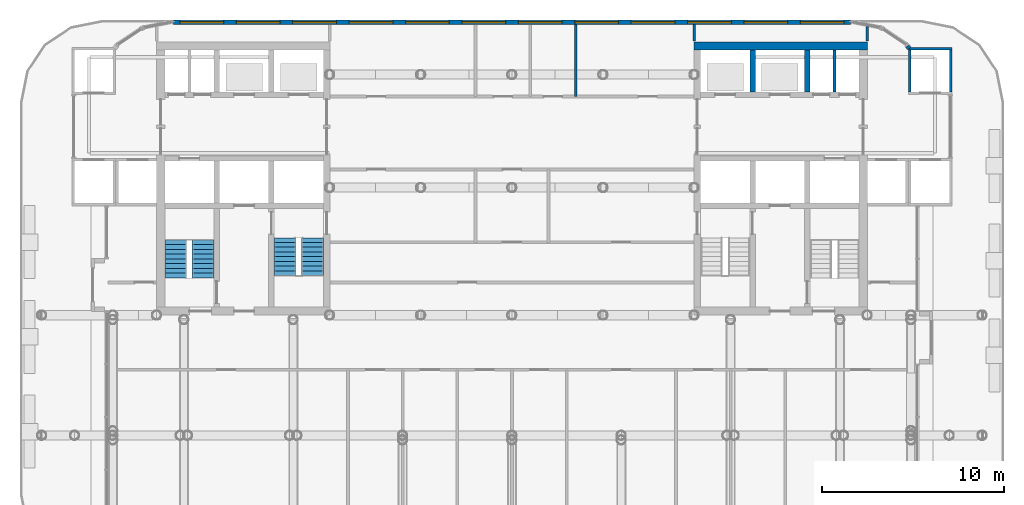
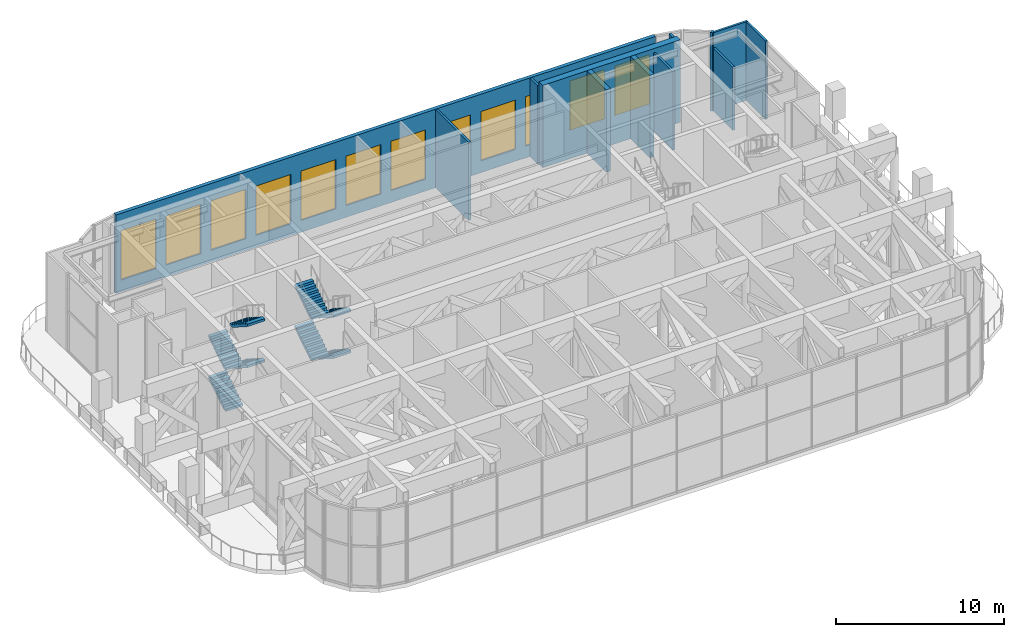
# One storey, part 16 of 21: 12 walls, 12 windows, 8 stair flights, 12 openings, 2 elements without a shape of their own.
"""IFC4 building model written with IfcOpenShell, lengths in metres."""

from ifc_helpers import new_model, si_unit, direction, frame, frame_2d, origin, place, context, subcontext, project, spatial, polyline, rectangle, outline, extrude, material, layer, layer_set, type_object, element, fill, aggregate, save


model = new_model("IFC4")

# Units and contexts
model_context = context("Model", 3, precision=1e-05, world=origin(), true_north=direction((0.0, 1.0)))
body_context = subcontext(model_context, "Body", "Model", "MODEL_VIEW")
ifc_project = project(units=[si_unit("LENGTHUNIT", "METRE"), si_unit("AREAUNIT", "SQUARE_METRE"), si_unit("VOLUMEUNIT", "CUBIC_METRE"), si_unit("PLANEANGLEUNIT", "RADIAN"), si_unit("MASSUNIT", "GRAM", prefix="KILO")], contexts=[model_context])

# Site, building, storey
site_placement = place(None, origin())
site = spatial("IfcSite", under=ifc_project, at=site_placement, CompositionType="ELEMENT")
building_placement = place(site_placement, origin())
building = spatial("IfcBuilding", under=site, at=building_placement, Name="Torana Hotel and Residences", CompositionType="ELEMENT")
storey_placement = place(building_placement, frame((0.0, 0.0, 246.60009765625)))
storey = spatial("IfcBuildingStorey", under=building, at=storey_placement, Name="L65", CompositionType="ELEMENT", Elevation=246.60009765625)

# Walls
ifc_material_1 = material(Name="Concrete C60/75", Category="concrete")
ifc_layer_1 = layer(ifc_material_1, 0.300048828125)
ifc_layer_set_1 = layer_set([ifc_layer_1], Name="CORE WALL 300 C60/75")
wall_type_1 = type_object("IfcWallType", Name="CORE WALL 300 C60/75", PredefinedType="SHEAR", material=ifc_layer_set_1)
for number, where, z_axis, x_axis, name in (
    (1, (13.199951171875, -2.75, 0.0), (0.0, 0.0, 1.0), (0.0, 1.0, 0.0), "Core wall E x3.05-N"),
    (2, (16.199951171875, -2.75, 0.0), (0.0, 0.0, 1.0), (0.0, 1.0, 0.0), "Core wall E x6.05-N"),
):
    element("IfcWall", number, at=place(storey_placement, frame(where, z_axis=z_axis, x_axis=x_axis)), inside=storey, type_object=wall_type_1, Name=name, PredefinedType="SHEAR", context=body_context, shape_type="SweptSolid", body=[
        extrude(rectangle(XDim=2.300048828125, YDim=0.300048828125, at=frame_2d((1.14990234375, 0.0))), origin(), (0.0, 0.0, 1.0), 6.0),
    ])
ifc_material_2 = material(Name="Concrete C60/75", Category="concrete")
ifc_layer_2 = layer(ifc_material_2, 0.449951171875)
ifc_layer_set_2 = layer_set([ifc_layer_2], Name="CORE WALL 450 C60/75")
wall_type_2 = type_object("IfcWallType", Name="CORE WALL 450 C60/75", PredefinedType="SHEAR", material=ifc_layer_set_2)
wall_1_placement = place(storey_placement, frame((10.0, -0.22509765625, 0.0), z_axis=(0.0, 0.0, 1.0), x_axis=(1.0, 0.0, 0.0)))
element("IfcWall", 3, at=wall_1_placement, inside=storey, type_object=wall_type_2, Name="Core wall E rear", PredefinedType="SHEAR", context=body_context, shape_type="SweptSolid", body=[
    extrude(rectangle(XDim=9.5, YDim=0.449951171875, at=frame_2d((4.75, 0.0))), origin(), (0.0, 0.0, 1.0), 6.0),
])
ifc_material_3 = material(Name="Aluminium louvre wall", Category="aluminium")
ifc_layer_3 = layer(ifc_material_3, 0.25)
ifc_layer_set_3 = layer_set([ifc_layer_3], Name="EW3 LOUVRE WALL 250")
wall_type_3 = type_object("IfcWallType", Name="EW3 LOUVRE WALL 250", PredefinedType="SOLIDWALL", material=ifc_layer_set_3)
wall_2_placement = place(storey_placement, frame((21.7998046875, -0.369384765625, 0.0), z_axis=(0.0, 0.0, 1.0), x_axis=(-0.555699055242, 0.831383521609, 0.0)))
element("IfcWall", 4, at=wall_2_placement, inside=storey, type_object=wall_type_3, Name="Louvre wall L65 e0.18", PredefinedType="SOLIDWALL", context=body_context, shape_type="SweptSolid", body=[
    extrude(rectangle(XDim=0.169189453125, YDim=0.25, at=frame_2d((0.08447265625, 0.0))), origin(), (0.0, 0.0, 1.0), 5.719970703125),
])

# Wall, openings, windows
wall_3_placement = place(storey_placement, frame((18.575439453125, 1.074951171875, 0.0), z_axis=(0.0, 0.0, 1.0), x_axis=(-1.0, 0.0, 0.0)))
wall_3 = element("IfcWall", 5, at=wall_3_placement, inside=storey, type_object=wall_type_3, Name="Louvre wall L65 e0.21", PredefinedType="SOLIDWALL", context=body_context, shape_type="SweptSolid", body=[
    extrude(rectangle(XDim=37.15087890625, YDim=0.25, at=frame_2d((18.575439453125, 0.0))), origin(), (0.0, 0.0, 1.0), 5.719970703125),
])
opening_1_placement = place(wall_3_placement, frame((0.347900390625, 0.0, 0.85791015625)))
opening_1 = element("IfcOpeningElement", 6, at=opening_1_placement, cuts=wall_3, Name="Opening LV2", PredefinedType="OPENING", context=body_context, shape_type="SweptSolid", body=[
    extrude(rectangle(XDim=2.39990234375, YDim=3.60009765625, at=frame_2d((1.199951171875, 1.800048828125))), frame((0.0, 0.135009765625, 0.0), z_axis=(0.0, -1.0, 0.0), x_axis=(1.0, 0.0, 0.0)), (0.0, 0.0, 1.0), 0.27001953125),
])
opening_2_placement = place(wall_3_placement, frame((3.44384765625, 0.0, 0.85791015625)))
opening_2 = element("IfcOpeningElement", 7, at=opening_2_placement, cuts=wall_3, Name="Opening LV2", PredefinedType="OPENING", context=body_context, shape_type="SweptSolid", body=[
    extrude(rectangle(XDim=2.39990234375, YDim=3.60009765625, at=frame_2d((1.199951171875, 1.800048828125))), frame((0.0, 0.135009765625, 0.0), z_axis=(0.0, -1.0, 0.0), x_axis=(1.0, 0.0, 0.0)), (0.0, 0.0, 1.0), 0.27001953125),
])
opening_3_placement = place(wall_3_placement, frame((6.539794921875, 0.0, 0.85791015625)))
opening_3 = element("IfcOpeningElement", 8, at=opening_3_placement, cuts=wall_3, Name="Opening LV2", PredefinedType="OPENING", context=body_context, shape_type="SweptSolid", body=[
    extrude(rectangle(XDim=2.39990234375, YDim=3.60009765625, at=frame_2d((1.199951171875, 1.800048828125))), frame((0.0, 0.135009765625, 0.0), z_axis=(0.0, -1.0, 0.0), x_axis=(1.0, 0.0, 0.0)), (0.0, 0.0, 1.0), 0.27001953125),
])
opening_4_placement = place(wall_3_placement, frame((9.635498046875, 0.0, 0.85791015625)))
opening_4 = element("IfcOpeningElement", 9, at=opening_4_placement, cuts=wall_3, Name="Opening LV2", PredefinedType="OPENING", context=body_context, shape_type="SweptSolid", body=[
    extrude(rectangle(XDim=2.39990234375, YDim=3.60009765625, at=frame_2d((1.199951171875, 1.800048828125))), frame((0.0, 0.135009765625, 0.0), z_axis=(0.0, -1.0, 0.0), x_axis=(1.0, 0.0, 0.0)), (0.0, 0.0, 1.0), 0.27001953125),
])
opening_5_placement = place(wall_3_placement, frame((12.7314453125, 0.0, 0.85791015625)))
opening_5 = element("IfcOpeningElement", 10, at=opening_5_placement, cuts=wall_3, Name="Opening LV2", PredefinedType="OPENING", context=body_context, shape_type="SweptSolid", body=[
    extrude(rectangle(XDim=2.39990234375, YDim=3.60009765625, at=frame_2d((1.199951171875, 1.800048828125))), frame((0.0, 0.135009765625, 0.0), z_axis=(0.0, -1.0, 0.0), x_axis=(1.0, 0.0, 0.0)), (0.0, 0.0, 1.0), 0.27001953125),
])
opening_6_placement = place(wall_3_placement, frame((15.827392578125, 0.0, 0.85791015625)))
opening_6 = element("IfcOpeningElement", 11, at=opening_6_placement, cuts=wall_3, Name="Opening LV2", PredefinedType="OPENING", context=body_context, shape_type="SweptSolid", body=[
    extrude(rectangle(XDim=2.39990234375, YDim=3.60009765625, at=frame_2d((1.199951171875, 1.800048828125))), frame((0.0, 0.135009765625, 0.0), z_axis=(0.0, -1.0, 0.0), x_axis=(1.0, 0.0, 0.0)), (0.0, 0.0, 1.0), 0.27001953125),
])
opening_7_placement = place(wall_3_placement, frame((18.92333984375, 0.0, 0.85791015625)))
opening_7 = element("IfcOpeningElement", 12, at=opening_7_placement, cuts=wall_3, Name="Opening LV2", PredefinedType="OPENING", context=body_context, shape_type="SweptSolid", body=[
    extrude(rectangle(XDim=2.39990234375, YDim=3.60009765625, at=frame_2d((1.199951171875, 1.800048828125))), frame((0.0, 0.135009765625, 0.0), z_axis=(0.0, -1.0, 0.0), x_axis=(1.0, 0.0, 0.0)), (0.0, 0.0, 1.0), 0.27001953125),
])
opening_8_placement = place(wall_3_placement, frame((22.019287109375, 0.0, 0.85791015625)))
opening_8 = element("IfcOpeningElement", 13, at=opening_8_placement, cuts=wall_3, Name="Opening LV2", PredefinedType="OPENING", context=body_context, shape_type="SweptSolid", body=[
    extrude(rectangle(XDim=2.39990234375, YDim=3.60009765625, at=frame_2d((1.199951171875, 1.800048828125))), frame((0.0, 0.135009765625, 0.0), z_axis=(0.0, -1.0, 0.0), x_axis=(1.0, 0.0, 0.0)), (0.0, 0.0, 1.0), 0.27001953125),
])
opening_9_placement = place(wall_3_placement, frame((25.114990234375, 0.0, 0.85791015625)))
opening_9 = element("IfcOpeningElement", 14, at=opening_9_placement, cuts=wall_3, Name="Opening LV2", PredefinedType="OPENING", context=body_context, shape_type="SweptSolid", body=[
    extrude(rectangle(XDim=2.39990234375, YDim=3.60009765625, at=frame_2d((1.199951171875, 1.800048828125))), frame((0.0, 0.135009765625, 0.0), z_axis=(0.0, -1.0, 0.0), x_axis=(1.0, 0.0, 0.0)), (0.0, 0.0, 1.0), 0.27001953125),
])
opening_10_placement = place(wall_3_placement, frame((28.2109375, 0.0, 0.85791015625)))
opening_10 = element("IfcOpeningElement", 15, at=opening_10_placement, cuts=wall_3, Name="Opening LV2", PredefinedType="OPENING", context=body_context, shape_type="SweptSolid", body=[
    extrude(rectangle(XDim=2.39990234375, YDim=3.60009765625, at=frame_2d((1.199951171875, 1.800048828125))), frame((0.0, 0.135009765625, 0.0), z_axis=(0.0, -1.0, 0.0), x_axis=(1.0, 0.0, 0.0)), (0.0, 0.0, 1.0), 0.27001953125),
])
opening_11_placement = place(wall_3_placement, frame((31.306884765625, 0.0, 0.85791015625)))
opening_11 = element("IfcOpeningElement", 16, at=opening_11_placement, cuts=wall_3, Name="Opening LV2", PredefinedType="OPENING", context=body_context, shape_type="SweptSolid", body=[
    extrude(rectangle(XDim=2.39990234375, YDim=3.60009765625, at=frame_2d((1.199951171875, 1.800048828125))), frame((0.0, 0.135009765625, 0.0), z_axis=(0.0, -1.0, 0.0), x_axis=(1.0, 0.0, 0.0)), (0.0, 0.0, 1.0), 0.27001953125),
])
opening_12_placement = place(wall_3_placement, frame((34.40283203125, 0.0, 0.85791015625)))
opening_12 = element("IfcOpeningElement", 17, at=opening_12_placement, cuts=wall_3, Name="Opening LV2", PredefinedType="OPENING", context=body_context, shape_type="SweptSolid", body=[
    extrude(rectangle(XDim=2.39990234375, YDim=3.60009765625, at=frame_2d((1.199951171875, 1.800048828125))), frame((0.0, 0.135009765625, 0.0), z_axis=(0.0, -1.0, 0.0), x_axis=(1.0, 0.0, 0.0)), (0.0, 0.0, 1.0), 0.27001953125),
])
ifc_material_4 = material(Name="Aluminium louvre blades", Category="aluminium")
window_type = type_object("IfcWindowType", Name="LV2 LOUVRE 2400x3600", PartitioningType="SINGLE_PANEL", PredefinedType="USERDEFINED", material=ifc_material_4)
window_1_placement = place(opening_1_placement, origin())
window_1 = element("IfcWindow", 18, at=window_1_placement, inside=storey, type_object=window_type, Name="Louvre L65", ObjectType="LOUVRE", OverallHeight=3.60009765625, OverallWidth=2.39990234375, PartitioningType="SINGLE_PANEL", PredefinedType="USERDEFINED", context=body_context, shape_type="SweptSolid", body=[
    extrude(rectangle(XDim=2.39990234375, YDim=3.60009765625, at=frame_2d((1.199951171875, 1.800048828125))), frame((0.0, 0.030029296875, 0.0), z_axis=(0.0, -1.0, 0.0), x_axis=(1.0, 0.0, 0.0)), (0.0, 0.0, 1.0), 0.06005859375),
])
fill(opening_1, window_1)
window_2_placement = place(opening_2_placement, origin())
window_2 = element("IfcWindow", 19, at=window_2_placement, inside=storey, type_object=window_type, Name="Louvre L65", ObjectType="LOUVRE", OverallHeight=3.60009765625, OverallWidth=2.39990234375, PartitioningType="SINGLE_PANEL", PredefinedType="USERDEFINED", context=body_context, shape_type="SweptSolid", body=[
    extrude(rectangle(XDim=2.39990234375, YDim=3.60009765625, at=frame_2d((1.199951171875, 1.800048828125))), frame((0.0, 0.030029296875, 0.0), z_axis=(0.0, -1.0, 0.0), x_axis=(1.0, 0.0, 0.0)), (0.0, 0.0, 1.0), 0.06005859375),
])
fill(opening_2, window_2)
window_3_placement = place(opening_3_placement, origin())
window_3 = element("IfcWindow", 20, at=window_3_placement, inside=storey, type_object=window_type, Name="Louvre L65", ObjectType="LOUVRE", OverallHeight=3.60009765625, OverallWidth=2.39990234375, PartitioningType="SINGLE_PANEL", PredefinedType="USERDEFINED", context=body_context, shape_type="SweptSolid", body=[
    extrude(rectangle(XDim=2.39990234375, YDim=3.60009765625, at=frame_2d((1.199951171875, 1.800048828125))), frame((0.0, 0.030029296875, 0.0), z_axis=(0.0, -1.0, 0.0), x_axis=(1.0, 0.0, 0.0)), (0.0, 0.0, 1.0), 0.06005859375),
])
fill(opening_3, window_3)
window_4_placement = place(opening_4_placement, origin())
window_4 = element("IfcWindow", 21, at=window_4_placement, inside=storey, type_object=window_type, Name="Louvre L65", ObjectType="LOUVRE", OverallHeight=3.60009765625, OverallWidth=2.39990234375, PartitioningType="SINGLE_PANEL", PredefinedType="USERDEFINED", context=body_context, shape_type="SweptSolid", body=[
    extrude(rectangle(XDim=2.39990234375, YDim=3.60009765625, at=frame_2d((1.199951171875, 1.800048828125))), frame((0.0, 0.030029296875, 0.0), z_axis=(0.0, -1.0, 0.0), x_axis=(1.0, 0.0, 0.0)), (0.0, 0.0, 1.0), 0.06005859375),
])
fill(opening_4, window_4)
window_5_placement = place(opening_5_placement, origin())
window_5 = element("IfcWindow", 22, at=window_5_placement, inside=storey, type_object=window_type, Name="Louvre L65", ObjectType="LOUVRE", OverallHeight=3.60009765625, OverallWidth=2.39990234375, PartitioningType="SINGLE_PANEL", PredefinedType="USERDEFINED", context=body_context, shape_type="SweptSolid", body=[
    extrude(rectangle(XDim=2.39990234375, YDim=3.60009765625, at=frame_2d((1.199951171875, 1.800048828125))), frame((0.0, 0.030029296875, 0.0), z_axis=(0.0, -1.0, 0.0), x_axis=(1.0, 0.0, 0.0)), (0.0, 0.0, 1.0), 0.06005859375),
])
fill(opening_5, window_5)
window_6_placement = place(opening_6_placement, origin())
window_6 = element("IfcWindow", 23, at=window_6_placement, inside=storey, type_object=window_type, Name="Louvre L65", ObjectType="LOUVRE", OverallHeight=3.60009765625, OverallWidth=2.39990234375, PartitioningType="SINGLE_PANEL", PredefinedType="USERDEFINED", context=body_context, shape_type="SweptSolid", body=[
    extrude(rectangle(XDim=2.39990234375, YDim=3.60009765625, at=frame_2d((1.199951171875, 1.800048828125))), frame((0.0, 0.030029296875, 0.0), z_axis=(0.0, -1.0, 0.0), x_axis=(1.0, 0.0, 0.0)), (0.0, 0.0, 1.0), 0.06005859375),
])
fill(opening_6, window_6)
window_7_placement = place(opening_7_placement, origin())
window_7 = element("IfcWindow", 24, at=window_7_placement, inside=storey, type_object=window_type, Name="Louvre L65", ObjectType="LOUVRE", OverallHeight=3.60009765625, OverallWidth=2.39990234375, PartitioningType="SINGLE_PANEL", PredefinedType="USERDEFINED", context=body_context, shape_type="SweptSolid", body=[
    extrude(rectangle(XDim=2.39990234375, YDim=3.60009765625, at=frame_2d((1.199951171875, 1.800048828125))), frame((0.0, 0.030029296875, 0.0), z_axis=(0.0, -1.0, 0.0), x_axis=(1.0, 0.0, 0.0)), (0.0, 0.0, 1.0), 0.06005859375),
])
fill(opening_7, window_7)
window_8_placement = place(opening_8_placement, origin())
window_8 = element("IfcWindow", 25, at=window_8_placement, inside=storey, type_object=window_type, Name="Louvre L65", ObjectType="LOUVRE", OverallHeight=3.60009765625, OverallWidth=2.39990234375, PartitioningType="SINGLE_PANEL", PredefinedType="USERDEFINED", context=body_context, shape_type="SweptSolid", body=[
    extrude(rectangle(XDim=2.39990234375, YDim=3.60009765625, at=frame_2d((1.199951171875, 1.800048828125))), frame((0.0, 0.030029296875, 0.0), z_axis=(0.0, -1.0, 0.0), x_axis=(1.0, 0.0, 0.0)), (0.0, 0.0, 1.0), 0.06005859375),
])
fill(opening_8, window_8)
window_9_placement = place(opening_9_placement, origin())
window_9 = element("IfcWindow", 26, at=window_9_placement, inside=storey, type_object=window_type, Name="Louvre L65", ObjectType="LOUVRE", OverallHeight=3.60009765625, OverallWidth=2.39990234375, PartitioningType="SINGLE_PANEL", PredefinedType="USERDEFINED", context=body_context, shape_type="SweptSolid", body=[
    extrude(rectangle(XDim=2.39990234375, YDim=3.60009765625, at=frame_2d((1.199951171875, 1.800048828125))), frame((0.0, 0.030029296875, 0.0), z_axis=(0.0, -1.0, 0.0), x_axis=(1.0, 0.0, 0.0)), (0.0, 0.0, 1.0), 0.06005859375),
])
fill(opening_9, window_9)
window_10_placement = place(opening_10_placement, origin())
window_10 = element("IfcWindow", 27, at=window_10_placement, inside=storey, type_object=window_type, Name="Louvre L65", ObjectType="LOUVRE", OverallHeight=3.60009765625, OverallWidth=2.39990234375, PartitioningType="SINGLE_PANEL", PredefinedType="USERDEFINED", context=body_context, shape_type="SweptSolid", body=[
    extrude(rectangle(XDim=2.39990234375, YDim=3.60009765625, at=frame_2d((1.199951171875, 1.800048828125))), frame((0.0, 0.030029296875, 0.0), z_axis=(0.0, -1.0, 0.0), x_axis=(1.0, 0.0, 0.0)), (0.0, 0.0, 1.0), 0.06005859375),
])
fill(opening_10, window_10)
window_11_placement = place(opening_11_placement, origin())
window_11 = element("IfcWindow", 28, at=window_11_placement, inside=storey, type_object=window_type, Name="Louvre L65", ObjectType="LOUVRE", OverallHeight=3.60009765625, OverallWidth=2.39990234375, PartitioningType="SINGLE_PANEL", PredefinedType="USERDEFINED", context=body_context, shape_type="SweptSolid", body=[
    extrude(rectangle(XDim=2.39990234375, YDim=3.60009765625, at=frame_2d((1.199951171875, 1.800048828125))), frame((0.0, 0.030029296875, 0.0), z_axis=(0.0, -1.0, 0.0), x_axis=(1.0, 0.0, 0.0)), (0.0, 0.0, 1.0), 0.06005859375),
])
fill(opening_11, window_11)
window_12_placement = place(opening_12_placement, origin())
window_12 = element("IfcWindow", 29, at=window_12_placement, inside=storey, type_object=window_type, Name="Louvre L65", ObjectType="LOUVRE", OverallHeight=3.60009765625, OverallWidth=2.39990234375, PartitioningType="SINGLE_PANEL", PredefinedType="USERDEFINED", context=body_context, shape_type="SweptSolid", body=[
    extrude(rectangle(XDim=2.39990234375, YDim=3.60009765625, at=frame_2d((1.199951171875, 1.800048828125))), frame((0.0, 0.030029296875, 0.0), z_axis=(0.0, -1.0, 0.0), x_axis=(1.0, 0.0, 0.0)), (0.0, 0.0, 1.0), 0.06005859375),
])
fill(opening_12, window_12)

# Walls
ifc_material_5 = material(Name="Gypsum plaster")
ifc_layer_4 = layer(ifc_material_5, 0.014892578125, Name="Plaster", Category="finish")
ifc_material_6 = material(Name="Concrete blockwork", Category="masonry")
ifc_layer_5 = layer(ifc_material_6, 0.1201171875, Name="Blockwork", Category="structure")
ifc_layer_6 = layer(ifc_material_5, 0.014892578125, Name="Plaster", Category="finish")
ifc_layer_set_4 = layer_set([ifc_layer_4, ifc_layer_5, ifc_layer_6], Name="FIRE PARTITION 150 BLOCKWORK")
wall_type_4 = type_object("IfcWallType", Name="FIRE PARTITION 150 BLOCKWORK", PredefinedType="PARTITIONING", material=ifc_layer_set_4)
wall_4_placement = place(storey_placement, frame((17.699951171875, -2.75, 0.0), z_axis=(0.0, 0.0, 1.0), x_axis=(0.0, 1.0, 0.0)))
element("IfcWall", 30, at=wall_4_placement, inside=storey, type_object=wall_type_4, Name="Core partition L65", PredefinedType="PARTITIONING", context=body_context, shape_type="SweptSolid", body=[
    extrude(rectangle(XDim=2.300048828125, YDim=0.14990234375, at=frame_2d((1.14990234375, 0.0))), origin(), (0.0, 0.0, 1.0), 5.699951171875),
])
wall_5_placement = place(storey_placement, frame((19.5, 0.050048828125, 0.0), z_axis=(0.0, 0.0, 1.0), x_axis=(0.0, 1.0, 0.0)))
element("IfcWall", 31, at=wall_5_placement, inside=storey, type_object=wall_type_4, Name="Partition L65", PredefinedType="PARTITIONING", context=body_context, shape_type="SweptSolid", body=[
    extrude(rectangle(XDim=0.787353515625, YDim=0.14990234375, at=frame_2d((0.3935546875, 0.0))), origin(), (0.0, 0.0, 1.0), 5.699951171875),
])
ifc_material_7 = material(Name="Concrete C40/50", Category="concrete")
ifc_layer_7 = layer(ifc_material_7, 0.14990234375)
ifc_layer_set_5 = layer_set([ifc_layer_7], Name="LIFT SHAFT WALL 150")
wall_type_5 = type_object("IfcWallType", Name="LIFT SHAFT WALL 150", PredefinedType="PARTITIONING", material=ifc_layer_set_5)
wall_6_placement = place(storey_placement, frame((21.75, -0.375, 0.0), z_axis=(0.0, 0.0, 1.0), x_axis=(1.0, 0.0, 0.0)))
element("IfcWall", 32, at=wall_6_placement, inside=storey, type_object=wall_type_5, Name="Lift shaft wall M3 L65", PredefinedType="PARTITIONING", context=body_context, shape_type="SweptSolid", body=[
    extrude(rectangle(XDim=2.39990234375, YDim=0.14990234375, at=frame_2d((1.199951171875, 0.0))), origin(), (0.0, 0.0, 1.0), 5.719970703125),
])
wall_7_placement = place(storey_placement, frame((21.824951171875, -2.75, 0.0), z_axis=(0.0, 0.0, 1.0), x_axis=(0.0, 1.0, 0.0)))
element("IfcWall", 33, at=wall_7_placement, inside=storey, type_object=wall_type_5, Name="Lift shaft wall M3 L65", PredefinedType="PARTITIONING", context=body_context, shape_type="SweptSolid", body=[
    extrude(rectangle(XDim=2.300048828125, YDim=0.14990234375, at=frame_2d((1.14990234375, 0.0))), origin(), (0.0, 0.0, 1.0), 4.599853515625),
])
wall_8_placement = place(storey_placement, frame((24.074951171875, -2.75, 0.0), z_axis=(0.0, 0.0, 1.0), x_axis=(0.0, 1.0, 0.0)))
element("IfcWall", 34, at=wall_8_placement, inside=storey, type_object=wall_type_5, Name="Lift shaft wall M3 L65", PredefinedType="PARTITIONING", context=body_context, shape_type="SweptSolid", body=[
    extrude(rectangle(XDim=2.300048828125, YDim=0.14990234375, at=frame_2d((1.14990234375, 0.0))), origin(), (0.0, 0.0, 1.0), 5.719970703125),
])
ifc_material_8 = material(Name="Gypsum plasterboard")
ifc_layer_8 = layer(ifc_material_8, 0.012451171875, Name="Plasterboard", Category="finish")
ifc_layer_9 = layer(ifc_material_8, 0.012451171875, Name="Plasterboard", Category="finish")
ifc_material_9 = material(Name="Steel S280GD", Category="steel")
ifc_layer_10 = layer(ifc_material_9, 0.10009765625, Name="Steel studs with mineral wool", Category="insulation")
ifc_layer_11 = layer(ifc_material_8, 0.012451171875, Name="Plasterboard", Category="finish")
ifc_layer_12 = layer(ifc_material_8, 0.012451171875, Name="Plasterboard", Category="finish")
ifc_layer_set_6 = layer_set([ifc_layer_8, ifc_layer_9, ifc_layer_10, ifc_layer_11, ifc_layer_12], Name="PARTITION 150 PLASTERBOARD")
wall_type_6 = type_object("IfcWallType", Name="PARTITION 150 PLASTERBOARD", PredefinedType="PARTITIONING", material=ifc_layer_set_6)
wall_9_placement = place(storey_placement, frame((10.0, 0.050048828125, 0.0), z_axis=(0.0, 0.0, 1.0), x_axis=(0.0, 1.0, 0.0)))
element("IfcWall", 35, at=wall_9_placement, inside=storey, type_object=wall_type_6, Name="Partition L65", PredefinedType="PARTITIONING", context=body_context, shape_type="SweptSolid", body=[
    extrude(rectangle(XDim=0.909912109375, YDim=0.14990234375, at=frame_2d((0.455078125, 0.0))), origin(), (0.0, 0.0, 1.0), 5.699951171875),
])
ifc_material_10 = material(Name="Ceramic tile on adhesive")
ifc_layer_13 = layer(ifc_material_10, 0.010009765625, Name="Wall tile", Category="finish")
ifc_material_11 = material(Name="Cement render")
ifc_layer_14 = layer(ifc_material_11, 0.010009765625, Name="Render", Category="finish")
ifc_layer_15 = layer(ifc_material_6, 0.110107421875, Name="Blockwork", Category="structure")
ifc_layer_16 = layer(ifc_material_11, 0.010009765625, Name="Render", Category="finish")
ifc_layer_17 = layer(ifc_material_10, 0.010009765625, Name="Wall tile", Category="finish")
ifc_layer_set_7 = layer_set([ifc_layer_13, ifc_layer_14, ifc_layer_15, ifc_layer_16, ifc_layer_17], Name="WC PARTITION 150")
wall_type_7 = type_object("IfcWallType", Name="WC PARTITION 150", PredefinedType="PLUMBINGWALL", material=ifc_layer_set_7)
wall_10_placement = place(storey_placement, frame((3.5, -3.0, 0.0), z_axis=(0.0, 0.0, 1.0), x_axis=(0.0, 1.0, 0.0)))
element("IfcWall", 36, at=wall_10_placement, inside=storey, type_object=wall_type_7, Name="Partition L65", PredefinedType="PLUMBINGWALL", context=body_context, shape_type="SweptSolid", body=[
    extrude(rectangle(XDim=3.9599609375, YDim=0.14990234375, at=frame_2d((1.97998046875, 0.0))), origin(), (0.0, 0.0, 1.0), 5.699951171875),
])

# Stair, stair flights
ifc_material_12 = material(Name="Concrete C40/50 precast", Category="concrete")
stair_type_1 = type_object("IfcStairType", Name="STAIR ST1 HALF TURN 1200", PredefinedType="HALF_TURN_STAIR", material=ifc_material_12)
stair_1_placement = place(storey_placement, origin())
stair_1 = element("IfcStair", 37, at=stair_1_placement, inside=storey, type_object=stair_type_1, Name="Stair ST1 L65", PredefinedType="HALF_TURN_STAIR")
ifc_material_13 = material(Name="Concrete C40/50 precast", Category="concrete")
stair_flight_type = type_object("IfcStairFlightType", Name="STAIR FLIGHT 1200 PRECAST", PredefinedType="STRAIGHT", material=ifc_material_13)
stair_flight_1_placement = place(storey_placement, frame((-10.949951171875, -10.75, 0.0), z_axis=(0.0, 0.0, 1.0), x_axis=(0.0, -1.0, 0.0)))
stair_flight_1 = element("IfcStairFlight", 38, at=stair_flight_1_placement, type_object=stair_flight_type, Name="ST1 flight 1", NumberOfRisers=9, NumberOfTreads=8, PredefinedType="STRAIGHT", RiserHeight=0.166666667, TreadLength=0.26, context=body_context, shape_type="SweptSolid", body=[
    extrude(outline(polyline([(0.0, 0.0), (0.0, 0.166748046875), (0.260009765625, 0.166748046875), (0.260009765625, 0.333251953125), (0.52001953125, 0.333251953125), (0.52001953125, 0.5), (0.780029296875, 0.5), (0.780029296875, 0.666748046875), (1.0400390625, 0.666748046875), (1.0400390625, 0.833251953125), (1.300048828125, 0.833251953125), (1.300048828125, 1.0), (1.56005859375, 1.0), (1.56005859375, 1.166748046875), (1.820068359375, 1.166748046875), (1.820068359375, 1.333251953125), (2.080078125, 1.333251953125), (2.080078125, 1.5), (2.080078125, 1.1552734375), (0.27783203125, 0.0), (0.0, 0.0)])), frame((0.0, 0.60009765625, 0.0), z_axis=(0.0, -1.0, 0.0), x_axis=(1.0, 0.0, 0.0)), (0.0, 0.0, 1.0), 1.199951171875),
])
stair_flight_2_placement = place(storey_placement, frame((-12.449951171875, -12.830078125, 1.5), z_axis=(0.0, 0.0, 1.0), x_axis=(0.0, 1.0, 0.0)))
stair_flight_2 = element("IfcStairFlight", 39, at=stair_flight_2_placement, type_object=stair_flight_type, Name="ST1 flight 2", NumberOfRisers=9, NumberOfTreads=8, PredefinedType="STRAIGHT", RiserHeight=0.166666667, TreadLength=0.26, context=body_context, shape_type="SweptSolid", body=[
    extrude(outline(polyline([(0.0, 0.0), (0.0, 0.166748046875), (0.260009765625, 0.166748046875), (0.260009765625, 0.333251953125), (0.52001953125, 0.333251953125), (0.52001953125, 0.5), (0.780029296875, 0.5), (0.780029296875, 0.666748046875), (1.0400390625, 0.666748046875), (1.0400390625, 0.833251953125), (1.300048828125, 0.833251953125), (1.300048828125, 1.0), (1.56005859375, 1.0), (1.56005859375, 1.166748046875), (1.820068359375, 1.166748046875), (1.820068359375, 1.333251953125), (2.080078125, 1.333251953125), (2.080078125, 1.5), (2.080078125, 1.1552734375), (0.27783203125, 0.0), (0.0, 0.0)])), frame((0.0, 0.60009765625, 0.0), z_axis=(0.0, -1.0, 0.0), x_axis=(1.0, 0.0, 0.0)), (0.0, 0.0, 1.0), 1.199951171875),
])
stair_flight_3_placement = place(storey_placement, frame((-10.949951171875, -10.75, 3.0), z_axis=(0.0, 0.0, 1.0), x_axis=(0.0, -1.0, 0.0)))
stair_flight_3 = element("IfcStairFlight", 40, at=stair_flight_3_placement, type_object=stair_flight_type, Name="ST1 flight 3", NumberOfRisers=9, NumberOfTreads=8, PredefinedType="STRAIGHT", RiserHeight=0.166666667, TreadLength=0.26, context=body_context, shape_type="SweptSolid", body=[
    extrude(outline(polyline([(0.0, 0.0), (0.0, 0.166748046875), (0.260009765625, 0.166748046875), (0.260009765625, 0.333251953125), (0.52001953125, 0.333251953125), (0.52001953125, 0.5), (0.780029296875, 0.5), (0.780029296875, 0.666748046875), (1.0400390625, 0.666748046875), (1.0400390625, 0.833251953125), (1.300048828125, 0.833251953125), (1.300048828125, 1.0), (1.56005859375, 1.0), (1.56005859375, 1.166748046875), (1.820068359375, 1.166748046875), (1.820068359375, 1.333251953125), (2.080078125, 1.333251953125), (2.080078125, 1.5), (2.080078125, 1.1552734375), (0.27783203125, 0.0), (0.0, 0.0)])), frame((0.0, 0.60009765625, 0.0), z_axis=(0.0, -1.0, 0.0), x_axis=(1.0, 0.0, 0.0)), (0.0, 0.0, 1.0), 1.199951171875),
])
stair_flight_4_placement = place(storey_placement, frame((-12.449951171875, -12.830078125, 4.5), z_axis=(0.0, 0.0, 1.0), x_axis=(0.0, 1.0, 0.0)))
stair_flight_4 = element("IfcStairFlight", 41, at=stair_flight_4_placement, type_object=stair_flight_type, Name="ST1 flight 4", NumberOfRisers=9, NumberOfTreads=8, PredefinedType="STRAIGHT", RiserHeight=0.166666667, TreadLength=0.26, context=body_context, shape_type="SweptSolid", body=[
    extrude(outline(polyline([(0.0, 0.0), (0.0, 0.166748046875), (0.260009765625, 0.166748046875), (0.260009765625, 0.333251953125), (0.52001953125, 0.333251953125), (0.52001953125, 0.5), (0.780029296875, 0.5), (0.780029296875, 0.666748046875), (1.0400390625, 0.666748046875), (1.0400390625, 0.833251953125), (1.300048828125, 0.833251953125), (1.300048828125, 1.0), (1.56005859375, 1.0), (1.56005859375, 1.166748046875), (1.820068359375, 1.166748046875), (1.820068359375, 1.333251953125), (2.080078125, 1.333251953125), (2.080078125, 1.5), (2.080078125, 1.1552734375), (0.27783203125, 0.0), (0.0, 0.0)])), frame((0.0, 0.60009765625, 0.0), z_axis=(0.0, -1.0, 0.0), x_axis=(1.0, 0.0, 0.0)), (0.0, 0.0, 1.0), 1.199951171875),
])
aggregate(stair_1, [stair_flight_1, stair_flight_2, stair_flight_3, stair_flight_4])

ifc_material_14 = material(Name="Concrete C40/50 precast", Category="concrete")
stair_type_2 = type_object("IfcStairType", Name="STAIR ST2 HALF TURN 1200", PredefinedType="HALF_TURN_STAIR", material=ifc_material_14)
stair_2_placement = place(storey_placement, origin())
stair_2 = element("IfcStair", 42, at=stair_2_placement, inside=storey, type_object=stair_type_2, Name="Stair ST2 L65", PredefinedType="HALF_TURN_STAIR")
stair_flight_5_placement = place(storey_placement, frame((-18.449951171875, -12.949951171875, 0.0), z_axis=(0.0, 0.0, 1.0), x_axis=(0.0, 1.0, 0.0)))
stair_flight_5 = element("IfcStairFlight", 43, at=stair_flight_5_placement, type_object=stair_flight_type, Name="ST2 flight 1", NumberOfRisers=9, NumberOfTreads=8, PredefinedType="STRAIGHT", RiserHeight=0.166666667, TreadLength=0.26, context=body_context, shape_type="SweptSolid", body=[
    extrude(outline(polyline([(0.0, 0.0), (0.0, 0.166748046875), (0.260009765625, 0.166748046875), (0.260009765625, 0.333251953125), (0.52001953125, 0.333251953125), (0.52001953125, 0.5), (0.780029296875, 0.5), (0.780029296875, 0.666748046875), (1.0400390625, 0.666748046875), (1.0400390625, 0.833251953125), (1.300048828125, 0.833251953125), (1.300048828125, 1.0), (1.56005859375, 1.0), (1.56005859375, 1.166748046875), (1.820068359375, 1.166748046875), (1.820068359375, 1.333251953125), (2.080078125, 1.333251953125), (2.080078125, 1.5), (2.080078125, 1.1552734375), (0.27783203125, 0.0), (0.0, 0.0)])), frame((0.0, 0.60009765625, 0.0), z_axis=(0.0, -1.0, 0.0), x_axis=(1.0, 0.0, 0.0)), (0.0, 0.0, 1.0), 1.199951171875),
])
stair_flight_6_placement = place(storey_placement, frame((-16.949951171875, -10.8701171875, 1.5), z_axis=(0.0, 0.0, 1.0), x_axis=(0.0, -1.0, 0.0)))
stair_flight_6 = element("IfcStairFlight", 44, at=stair_flight_6_placement, type_object=stair_flight_type, Name="ST2 flight 2", NumberOfRisers=9, NumberOfTreads=8, PredefinedType="STRAIGHT", RiserHeight=0.166666667, TreadLength=0.26, context=body_context, shape_type="SweptSolid", body=[
    extrude(outline(polyline([(0.0, 0.0), (0.0, 0.166748046875), (0.260009765625, 0.166748046875), (0.260009765625, 0.333251953125), (0.52001953125, 0.333251953125), (0.52001953125, 0.5), (0.780029296875, 0.5), (0.780029296875, 0.666748046875), (1.0400390625, 0.666748046875), (1.0400390625, 0.833251953125), (1.300048828125, 0.833251953125), (1.300048828125, 1.0), (1.56005859375, 1.0), (1.56005859375, 1.166748046875), (1.820068359375, 1.166748046875), (1.820068359375, 1.333251953125), (2.080078125, 1.333251953125), (2.080078125, 1.5), (2.080078125, 1.1552734375), (0.27783203125, 0.0), (0.0, 0.0)])), frame((0.0, 0.60009765625, 0.0), z_axis=(0.0, -1.0, 0.0), x_axis=(1.0, 0.0, 0.0)), (0.0, 0.0, 1.0), 1.199951171875),
])
stair_flight_7_placement = place(storey_placement, frame((-18.449951171875, -12.949951171875, 3.0), z_axis=(0.0, 0.0, 1.0), x_axis=(0.0, 1.0, 0.0)))
stair_flight_7 = element("IfcStairFlight", 45, at=stair_flight_7_placement, type_object=stair_flight_type, Name="ST2 flight 3", NumberOfRisers=9, NumberOfTreads=8, PredefinedType="STRAIGHT", RiserHeight=0.166666667, TreadLength=0.26, context=body_context, shape_type="SweptSolid", body=[
    extrude(outline(polyline([(0.0, 0.0), (0.0, 0.166748046875), (0.260009765625, 0.166748046875), (0.260009765625, 0.333251953125), (0.52001953125, 0.333251953125), (0.52001953125, 0.5), (0.780029296875, 0.5), (0.780029296875, 0.666748046875), (1.0400390625, 0.666748046875), (1.0400390625, 0.833251953125), (1.300048828125, 0.833251953125), (1.300048828125, 1.0), (1.56005859375, 1.0), (1.56005859375, 1.166748046875), (1.820068359375, 1.166748046875), (1.820068359375, 1.333251953125), (2.080078125, 1.333251953125), (2.080078125, 1.5), (2.080078125, 1.1552734375), (0.27783203125, 0.0), (0.0, 0.0)])), frame((0.0, 0.60009765625, 0.0), z_axis=(0.0, -1.0, 0.0), x_axis=(1.0, 0.0, 0.0)), (0.0, 0.0, 1.0), 1.199951171875),
])
stair_flight_8_placement = place(storey_placement, frame((-16.949951171875, -10.8701171875, 4.5), z_axis=(0.0, 0.0, 1.0), x_axis=(0.0, -1.0, 0.0)))
stair_flight_8 = element("IfcStairFlight", 46, at=stair_flight_8_placement, type_object=stair_flight_type, Name="ST2 flight 4", NumberOfRisers=9, NumberOfTreads=8, PredefinedType="STRAIGHT", RiserHeight=0.166666667, TreadLength=0.26, context=body_context, shape_type="SweptSolid", body=[
    extrude(outline(polyline([(0.0, 0.0), (0.0, 0.166748046875), (0.260009765625, 0.166748046875), (0.260009765625, 0.333251953125), (0.52001953125, 0.333251953125), (0.52001953125, 0.5), (0.780029296875, 0.5), (0.780029296875, 0.666748046875), (1.0400390625, 0.666748046875), (1.0400390625, 0.833251953125), (1.300048828125, 0.833251953125), (1.300048828125, 1.0), (1.56005859375, 1.0), (1.56005859375, 1.166748046875), (1.820068359375, 1.166748046875), (1.820068359375, 1.333251953125), (2.080078125, 1.333251953125), (2.080078125, 1.5), (2.080078125, 1.1552734375), (0.27783203125, 0.0), (0.0, 0.0)])), frame((0.0, 0.60009765625, 0.0), z_axis=(0.0, -1.0, 0.0), x_axis=(1.0, 0.0, 0.0)), (0.0, 0.0, 1.0), 1.199951171875),
])
aggregate(stair_2, [stair_flight_5, stair_flight_6, stair_flight_7, stair_flight_8])

save(model, "model.ifc")
